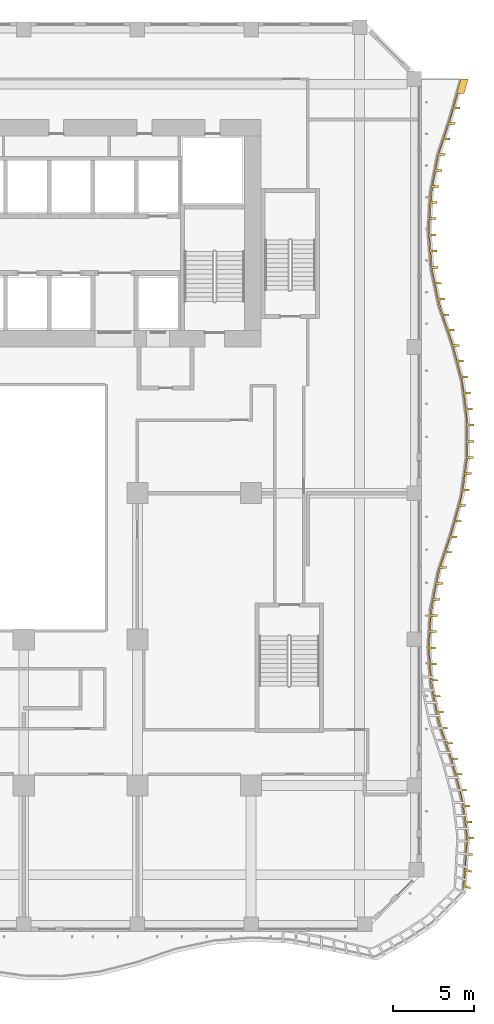
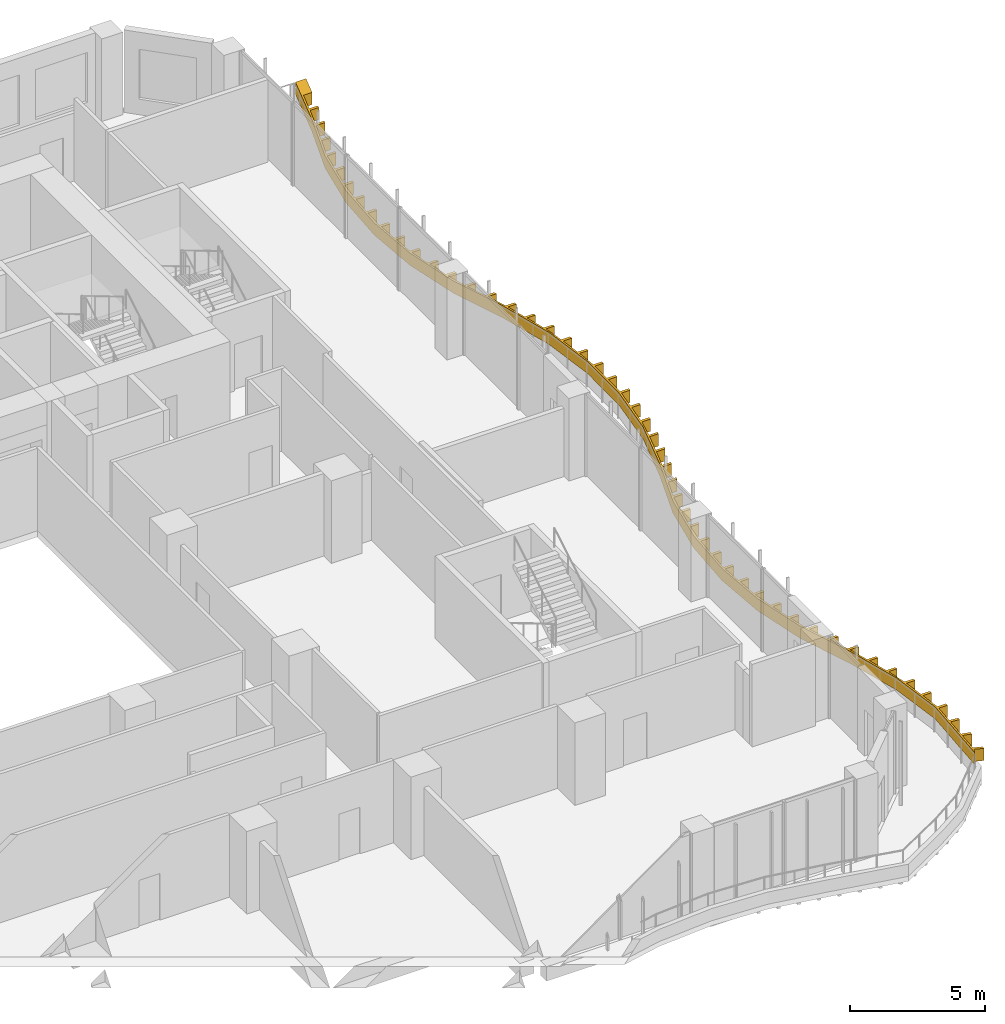
# One storey, part 24 of 27: 1 shading device.
"""IFC4 building model written with IfcOpenShell, lengths in metres."""

import ifcopenshell
import ifcopenshell.guid

model = None  # the IFC model being written
_history = None  # IfcOwnerHistory: only IFC2X3 demands one
_inside = {}  # id of a spatial element -> (the spatial element, [elements in it])
_under = {}  # id of a project, library or spatial element -> (it, [spatial elements below it])
_declared = {}  # id of a project -> (the project, [libraries it declares])
_typed = {}  # id of a type object -> (the type object, [elements of that type])
_made_of = {}  # id of a material, layer set ... -> (it, [elements and type objects made of it])


def new_model(schema):
    """Start an empty IFC model of exactly this schema.

    Asked for "IFC4X3", IfcOpenShell would pick the latest addendum, in which some entities
    have other attributes; the version numbers below select the first issue.
    IFC2X3 requires an IfcOwnerHistory on every rooted entity: one is made here for all.
    """
    global model, _history
    if schema == "IFC4X3":
        model = ifcopenshell.file(schema_version=(4, 3, 0, 0))
    else:
        model = ifcopenshell.file(schema=schema)
    _inside.clear()
    _under.clear()
    _declared.clear()
    _typed.clear()
    _made_of.clear()
    _history = None
    if model.schema == "IFC2X3":
        org = make("IfcOrganization", Name="unknown")
        user = make(
            "IfcPersonAndOrganization",
            ThePerson=make("IfcPerson", FamilyName="unknown"),
            TheOrganization=org,
        )
        app = make(
            "IfcApplication",
            ApplicationDeveloper=org,
            Version="unknown",
            ApplicationFullName="unknown",
            ApplicationIdentifier="unknown",
        )
        _history = make(
            "IfcOwnerHistory",
            OwningUser=user,
            OwningApplication=app,
            ChangeAction="ADDED",
            CreationDate=0,
        )
    return model


def make(cls, **values):
    """One entity of the class cls with the attributes given. An attribute that is None is left unset."""
    return model.create_entity(
        cls, **{name: value for name, value in values.items() if value is not None}
    )


def rooted(cls, **values):
    """An entity with a GlobalId (a new one), such as an element, a storey or a relation."""
    return make(cls, GlobalId=ifcopenshell.guid.new(), OwnerHistory=_history, **values)


def si_unit(unit_type, name, prefix=None):
    """IfcSIUnit, for example si_unit("LENGTHUNIT", "METRE", prefix="MILLI")."""
    return make("IfcSIUnit", UnitType=unit_type, Prefix=prefix, Name=name)


def assignment(units):
    """IfcUnitAssignment: the units of a project."""
    return None if units is None else make("IfcUnitAssignment", Units=units)


def point(xyz):
    """IfcCartesianPoint."""
    return None if xyz is None else make("IfcCartesianPoint", Coordinates=xyz)


def direction(xyz):
    """IfcDirection."""
    return None if xyz is None else make("IfcDirection", DirectionRatios=xyz)


def frame(location, z_axis=None, x_axis=None):
    """IfcAxis2Placement3D, a coordinate frame: its origin and axes. An axis left out is left unset."""
    return make(
        "IfcAxis2Placement3D",
        Location=point(location),
        Axis=direction(z_axis),
        RefDirection=direction(x_axis),
    )


def origin():
    """The frame at (0, 0, 0) with its axes left unset."""
    return frame((0.0, 0.0, 0.0))


def place(relative_to, where):
    """IfcLocalPlacement: puts the frame where relative to a parent placement (None: the world)."""
    return make(
        "IfcLocalPlacement", PlacementRelTo=relative_to, RelativePlacement=where
    )


def context(
    kind, dimensions, precision=None, world=None, true_north=None, identifier=None
):
    """IfcGeometricRepresentationContext, for example the 3D "Model" context."""
    return make(
        "IfcGeometricRepresentationContext",
        ContextIdentifier=identifier,
        ContextType=kind,
        CoordinateSpaceDimension=dimensions,
        Precision=precision,
        WorldCoordinateSystem=world,
        TrueNorth=true_north,
    )


def subcontext(parent, identifier, kind, view, scale=None):
    """IfcGeometricRepresentationSubContext, for example "Body" below "Model"."""
    return make(
        "IfcGeometricRepresentationSubContext",
        ContextIdentifier=identifier,
        ContextType=kind,
        ParentContext=parent,
        TargetScale=scale,
        TargetView=view,
    )


def project(units=None, contexts=None):
    """IfcProject with its units and contexts."""
    return rooted(
        "IfcProject",
        Name="project",
        RepresentationContexts=contexts,
        UnitsInContext=assignment(units),
    )


def spatial(cls, under=None, at=None, **own):
    """A site, building, storey or space (cls), placed at a placement, below another one or the project."""
    s = rooted(cls, ObjectPlacement=at, **own)
    if under is not None:
        _under.setdefault(under.id(), (under, []))[1].append(s)
    return s


def polyline(points):
    """IfcPolyline through the points."""
    return make("IfcPolyline", Points=[point(p) for p in points])


def outline(outer, holes=None, kind="AREA"):
    """IfcArbitraryClosedProfileDef: a profile drawn as a closed curve; with holes, ...WithVoids."""
    if holes is None:
        return make("IfcArbitraryClosedProfileDef", ProfileType=kind, OuterCurve=outer)
    return make(
        "IfcArbitraryProfileDefWithVoids",
        ProfileType=kind,
        OuterCurve=outer,
        InnerCurves=holes,
    )


def extrude(swept, where, along, depth):
    """IfcExtrudedAreaSolid: the profile swept, set in the frame where, extruded along a direction by depth."""
    return make(
        "IfcExtrudedAreaSolid",
        SweptArea=swept,
        Position=where,
        ExtrudedDirection=direction(along),
        Depth=depth,
    )


def shape(context_of_items, identifier, shape_type, items):
    """IfcShapeRepresentation: the items that make up one representation, for example the "Body"."""
    return make(
        "IfcShapeRepresentation",
        ContextOfItems=context_of_items,
        RepresentationIdentifier=identifier,
        RepresentationType=shape_type,
        Items=items,
    )


def source(mapping_origin, context_of_items, identifier, shape_type, items):
    """IfcRepresentationMap: a shape defined once, which mapped items show again and again."""
    return make(
        "IfcRepresentationMap",
        MappingOrigin=mapping_origin,
        MappedRepresentation=shape(context_of_items, identifier, shape_type, items),
    )


def transform(
    local_origin,
    x_axis=None,
    y_axis=None,
    z_axis=None,
    scale=None,
    scale2=None,
    scale3=None,
    uniform=True,
):
    """IfcCartesianTransformationOperator3D, or its non-uniform kind. x_axis, y_axis, z_axis: its Axis1, 2, 3."""
    if uniform:
        return make(
            "IfcCartesianTransformationOperator3D",
            Axis1=direction(x_axis),
            Axis2=direction(y_axis),
            LocalOrigin=point(local_origin),
            Scale=scale,
            Axis3=direction(z_axis),
        )
    return make(
        "IfcCartesianTransformationOperator3DnonUniform",
        Axis1=direction(x_axis),
        Axis2=direction(y_axis),
        LocalOrigin=point(local_origin),
        Scale=scale,
        Axis3=direction(z_axis),
        Scale2=scale2,
        Scale3=scale3,
    )


def mapped(mapping_source, mapping_target):
    """IfcMappedItem: shows the shape of a source again, moved by a transform."""
    return make(
        "IfcMappedItem", MappingSource=mapping_source, MappingTarget=mapping_target
    )


def material(Name=None, Category=None):
    """IfcMaterial."""
    return make("IfcMaterial", Name=Name, Category=Category)


def layer(
    of_material, thickness, ventilated=None, Name=None, Category=None, Priority=None
):
    """IfcMaterialLayer: one layer of a wall or slab, of a material (None: an air gap)."""
    return make(
        "IfcMaterialLayer",
        Material=of_material,
        LayerThickness=thickness,
        IsVentilated=ventilated,
        Name=Name,
        Category=Category,
        Priority=Priority,
    )


def layer_set(layers, Name=None):
    """IfcMaterialLayerSet."""
    return make("IfcMaterialLayerSet", MaterialLayers=layers, LayerSetName=Name)


def made_of(thing, what):
    """Note that an element or type object is made of a material, layer set ...; save() writes the relation."""
    if what is not None:
        _made_of.setdefault(what.id(), (what, []))[1].append(thing)
    return thing


def type_object(cls, material=None, **own):
    """A type object (cls), such as IfcWallType, which elements share."""
    return made_of(rooted(cls, **own), material)


def element(
    cls,
    number,
    at=None,
    inside=None,
    cuts=None,
    type_object=None,
    material=None,
    context=None,
    identifier="Body",
    shape_type=None,
    held_by="IfcProductDefinitionShape",
    body=None,
    shapes=None,
    **own,
):
    """One element of the class cls, such as IfcWall. Its Tag is "e" and its number.

    at: its placement. inside: the storey or other place that contains it. cuts: it is an
    opening in that element (IfcRelVoidsElement). A single representation is given by context,
    identifier, shape_type and body (its items); several are given by shapes. held_by: the class
    of the entity that holds the representations. save() writes the other relations.
    """
    e = rooted(cls, Tag="e%d" % number, ObjectPlacement=at, **own)
    if body is not None:
        shapes = [shape(context, identifier, shape_type, body)]
    if shapes is not None:
        e.Representation = make(held_by, Representations=shapes)
    if inside is not None:
        _inside.setdefault(inside.id(), (inside, []))[1].append(e)
    if cuts is not None:
        rooted(
            "IfcRelVoidsElement", RelatingBuildingElement=cuts, RelatedOpeningElement=e
        )
    if type_object is not None:
        _typed.setdefault(type_object.id(), (type_object, []))[1].append(e)
    return made_of(e, material)


def aggregate(whole, parts):
    """IfcRelAggregates: a whole, such as a stair, and the parts it consists of."""
    return rooted("IfcRelAggregates", RelatingObject=whole, RelatedObjects=parts)


def save(model, path):
    """Write the relations noted so far, then the file.

    IfcRelAggregates (storeys below a building ...), IfcRelContainedInSpatialStructure (elements
    in a storey), IfcRelDefinesByType, IfcRelAssociatesMaterial and IfcRelDeclares: one each for
    every whole, place, type object, material and project.
    """
    for whole, parts in _under.values():
        aggregate(whole, parts)
    for where, things in _inside.values():
        rooted(
            "IfcRelContainedInSpatialStructure",
            RelatedElements=things,
            RelatingStructure=where,
        )
    for kind, things in _typed.values():
        rooted("IfcRelDefinesByType", RelatedObjects=things, RelatingType=kind)
    for what, things in _made_of.values():
        rooted("IfcRelAssociatesMaterial", RelatedObjects=things, RelatingMaterial=what)
    for by, libraries in _declared.values():
        rooted("IfcRelDeclares", RelatingContext=by, RelatedDefinitions=libraries)
    model.write(path)


model = new_model("IFC4")

# Units and contexts
model_context = context("Model", 3, precision=1e-05, world=origin(), true_north=direction((0.0, 1.0)))
body_context = subcontext(model_context, "Body", "Model", "MODEL_VIEW")
ifc_project = project(units=[si_unit("LENGTHUNIT", "METRE"), si_unit("AREAUNIT", "SQUARE_METRE"), si_unit("VOLUMEUNIT", "CUBIC_METRE"), si_unit("PLANEANGLEUNIT", "RADIAN"), si_unit("MASSUNIT", "GRAM", prefix="KILO")], contexts=[model_context])

# Site, building, storey
site_placement = place(None, origin())
site = spatial("IfcSite", under=ifc_project, at=site_placement, CompositionType="ELEMENT")
building_placement = place(site_placement, origin())
building = spatial("IfcBuilding", under=site, at=building_placement, Name="Kilnfold Tower and Market Hall", CompositionType="ELEMENT")
storey_placement = place(building_placement, frame((0.0, 0.0, 51.0)))
storey = spatial("IfcBuildingStorey", under=building, at=storey_placement, Name="L11", CompositionType="ELEMENT", Elevation=51.0)

# Shading device
ifc_material = material(Name="Bronze anodised aluminium", Category="aluminium")
ifc_layer = layer(ifc_material, 0.550048828125)
ifc_layer_set = layer_set([ifc_layer], Name="Bronze anodised aluminium")
shading_device_type = type_object("IfcShadingDeviceType", Name="BRONZE SLAT FASCIA 550", PredefinedType="USERDEFINED", material=ifc_layer_set)
shared_shape = source(origin(), body_context, "Body", "SweptSolid", [
    extrude(outline(polyline([(30.98974609375, -25.377197265625), (30.644287109375, -25.249267578125), (30.55908203125, -25.404541015625), (30.76416015625, -22.166748046875), (30.46044921875, -19.833251953125), (29.83203125, -17.5), (29.0400390625, -15.166748046875), (28.5625, -12.833251953125), (28.400146484375, -10.5), (28.5439453125, -8.166748046875), (29.001708984375, -5.833251953125), (29.782958984375, -3.5), (30.431884765625, -1.166748046875), (30.754638671875, 1.166748046875), (30.7685546875, 3.5), (30.474365234375, 5.833251953125), (29.856201171875, 8.166748046875), (29.059814453125, 10.5), (28.572509765625, 12.833251953125), (28.400634765625, 15.166748046875), (28.53515625, 17.5), (28.983154296875, 19.833251953125), (29.7578125, 22.166748046875), (30.417236328125, 24.5), (30.8671875, 24.5), (30.6162109375, 23.611572265625), (30.24609375, 23.611572265625), (30.0068359375, 22.7646484375), (30.376708984375, 22.7646484375), (30.343994140625, 22.649169921875), (29.97412109375, 22.649169921875), (29.718505859375, 21.807373046875), (30.08837890625, 21.807373046875), (30.05078125, 21.693359375), (29.6806640625, 21.693359375), (29.4033203125, 20.8583984375), (29.7734375, 20.8583984375), (29.735595703125, 20.744384765625), (29.365478515625, 20.744384765625), (29.08837890625, 19.9091796875), (29.458251953125, 19.9091796875), (29.425537109375, 19.7939453125), (29.0556640625, 19.7939453125), (28.8896484375, 18.9296875), (29.259521484375, 18.9296875), (29.237060546875, 18.81201171875), (28.866943359375, 18.81201171875), (28.701171875, 17.94775390625), (29.071044921875, 17.94775390625), (29.04833984375, 17.829833984375), (28.678466796875, 17.829833984375), (28.583740234375, 16.956787109375), (28.953857421875, 16.956787109375), (28.947021484375, 16.8369140625), (28.576904296875, 16.8369140625), (28.526123046875, 15.95849609375), (28.896240234375, 15.95849609375), (28.889404296875, 15.838623046875), (28.519287109375, 15.838623046875), (28.495849609375, 14.960205078125), (28.86572265625, 14.960205078125), (28.87451171875, 14.8408203125), (28.504638671875, 14.8408203125), (28.569091796875, 13.962890625), (28.939208984375, 13.962890625), (28.947998046875, 13.843505859375), (28.577880859375, 13.843505859375), (28.642578125, 12.9658203125), (29.0126953125, 12.9658203125), (29.021484375, 12.84619140625), (28.651611328125, 12.84619140625), (28.82958984375, 11.984375), (29.19970703125, 11.984375), (29.22412109375, 11.866943359375), (28.854248046875, 11.866943359375), (29.0341796875, 11.005615234375), (29.404052734375, 11.005615234375), (29.4287109375, 10.88818359375), (29.05859375, 10.88818359375), (29.2958984375, 10.04248046875), (29.666015625, 10.04248046875), (29.70458984375, 9.9287109375), (29.334716796875, 9.9287109375), (29.618896484375, 9.095947265625), (29.989013671875, 9.095947265625), (30.027587890625, 8.982421875), (29.65771484375, 8.982421875), (29.94091796875, 8.149169921875), (30.310791015625, 8.149169921875), (30.341552734375, 8.033203125), (29.9716796875, 8.033203125), (30.197021484375, 7.1826171875), (30.56689453125, 7.1826171875), (30.59765625, 7.066650390625), (30.227783203125, 7.066650390625), (30.452880859375, 6.2158203125), (30.822998046875, 6.2158203125), (30.853759765625, 6.099853515625), (30.48388671875, 6.099853515625), (30.6298828125, 5.23388671875), (31.0, 5.23388671875), (31.014892578125, 5.11474609375), (30.64501953125, 5.11474609375), (30.7548828125, 4.24169921875), (31.125, 4.24169921875), (31.139892578125, 4.122802734375), (30.77001953125, 4.122802734375), (30.846923828125, 3.24755859375), (31.217041015625, 3.24755859375), (31.21630859375, 3.127685546875), (30.84619140625, 3.127685546875), (30.841064453125, 2.24755859375), (31.2109375, 2.24755859375), (31.210205078125, 2.127685546875), (30.84033203125, 2.127685546875), (30.835205078125, 1.24755859375), (31.205078125, 1.24755859375), (31.20458984375, 1.166748046875), (31.19921875, 1.1279296875), (30.829345703125, 1.1279296875), (30.708740234375, 0.25634765625), (31.07861328125, 0.25634765625), (31.062255859375, 0.137451171875), (30.6923828125, 0.137451171875), (30.57177734375, -0.734375), (30.94189453125, -0.734375), (30.92529296875, -0.853271484375), (30.555419921875, -0.853271484375), (30.361083984375, -1.709716796875), (30.73095703125, -1.709716796875), (30.69873046875, -1.8251953125), (30.328857421875, -1.8251953125), (30.093017578125, -2.673095703125), (30.462890625, -2.673095703125), (30.430908203125, -2.78857421875), (30.060791015625, -2.78857421875), (29.818115234375, -3.63427734375), (30.18798828125, -3.63427734375), (30.14990234375, -3.748046875), (29.77978515625, -3.748046875), (29.50048828125, -4.58251953125), (29.87060546875, -4.58251953125), (29.83251953125, -4.6962890625), (29.46240234375, -4.6962890625), (29.18310546875, -5.53076171875), (29.552978515625, -5.53076171875), (29.514892578125, -5.64453125), (29.14501953125, -5.64453125), (28.95068359375, -6.501708984375), (29.32080078125, -6.501708984375), (29.297607421875, -6.619384765625), (28.927490234375, -6.619384765625), (28.75830078125, -7.48291015625), (29.128173828125, -7.48291015625), (29.10498046875, -7.6005859375), (28.735107421875, -7.6005859375), (28.605224609375, -8.46923828125), (28.975341796875, -8.46923828125), (28.968017578125, -8.589111328125), (28.597900390625, -8.589111328125), (28.543701171875, -9.46728515625), (28.913818359375, -9.46728515625), (28.906494140625, -9.587158203125), (28.536376953125, -9.587158203125), (28.482177734375, -10.46533203125), (28.852294921875, -10.46533203125), (28.85595703125, -10.585205078125), (28.486083984375, -10.585205078125), (28.547119140625, -11.462890625), (28.917236328125, -11.462890625), (28.925537109375, -11.582763671875), (28.555419921875, -11.582763671875), (28.61669921875, -12.460693359375), (28.986572265625, -12.460693359375), (28.9951171875, -12.580322265625), (28.625, -12.580322265625), (28.768310546875, -13.447021484375), (29.13818359375, -13.447021484375), (29.162109375, -13.564697265625), (28.792236328125, -13.564697265625), (28.96875, -14.4267578125), (29.338623046875, -14.4267578125), (29.36279296875, -14.544189453125), (28.99267578125, -14.544189453125), (29.19873046875, -15.3984375), (29.568603515625, -15.3984375), (29.607421875, -15.511962890625), (29.2373046875, -15.511962890625), (29.520263671875, -16.34521484375), (29.89013671875, -16.34521484375), (29.9287109375, -16.458984375), (29.55859375, -16.458984375), (29.841552734375, -17.292236328125), (30.211669921875, -17.292236328125), (30.250244140625, -17.406005859375), (29.880126953125, -17.406005859375), (30.114990234375, -18.25390625), (30.485107421875, -18.25390625), (30.516357421875, -18.36962890625), (30.146240234375, -18.36962890625), (30.375244140625, -19.219482421875), (30.7451171875, -19.219482421875), (30.7763671875, -19.335205078125), (30.406494140625, -19.335205078125), (30.58740234375, -20.1943359375), (30.95751953125, -20.1943359375), (30.972900390625, -20.3134765625), (30.60302734375, -20.3134765625), (30.716552734375, -21.18603515625), (31.08642578125, -21.18603515625), (31.10205078125, -21.30517578125), (30.73193359375, -21.30517578125), (30.843505859375, -22.177490234375), (31.21337890625, -22.177978515625), (31.20458984375, -22.301025390625), (30.83544921875, -22.2958984375), (30.77783203125, -23.162109375), (31.1416015625, -23.203369140625), (31.133056640625, -23.326416015625), (30.770263671875, -23.280029296875), (30.714111328125, -24.146240234375), (31.070068359375, -24.228759765625), (31.061279296875, -24.351806640625), (30.70654296875, -24.264404296875), (30.651611328125, -25.131103515625), (30.998291015625, -25.254150390625), (30.98974609375, -25.377197265625)])), origin(), (0.0, 0.0, 1.0), 0.550048828125),
])
shading_device_placement = place(storey_placement, frame((0.0, 0.0, 0.550048828125)))
element("IfcShadingDevice", 1, at=shading_device_placement, inside=storey, type_object=shading_device_type, Name="Balcony slat fascia L11", ObjectType="SLAT", PredefinedType="USERDEFINED", context=body_context, shape_type="MappedRepresentation", body=[
    mapped(shared_shape, transform((0.0, 0.0, 0.0))),
])

save(model, "model.ifc")
